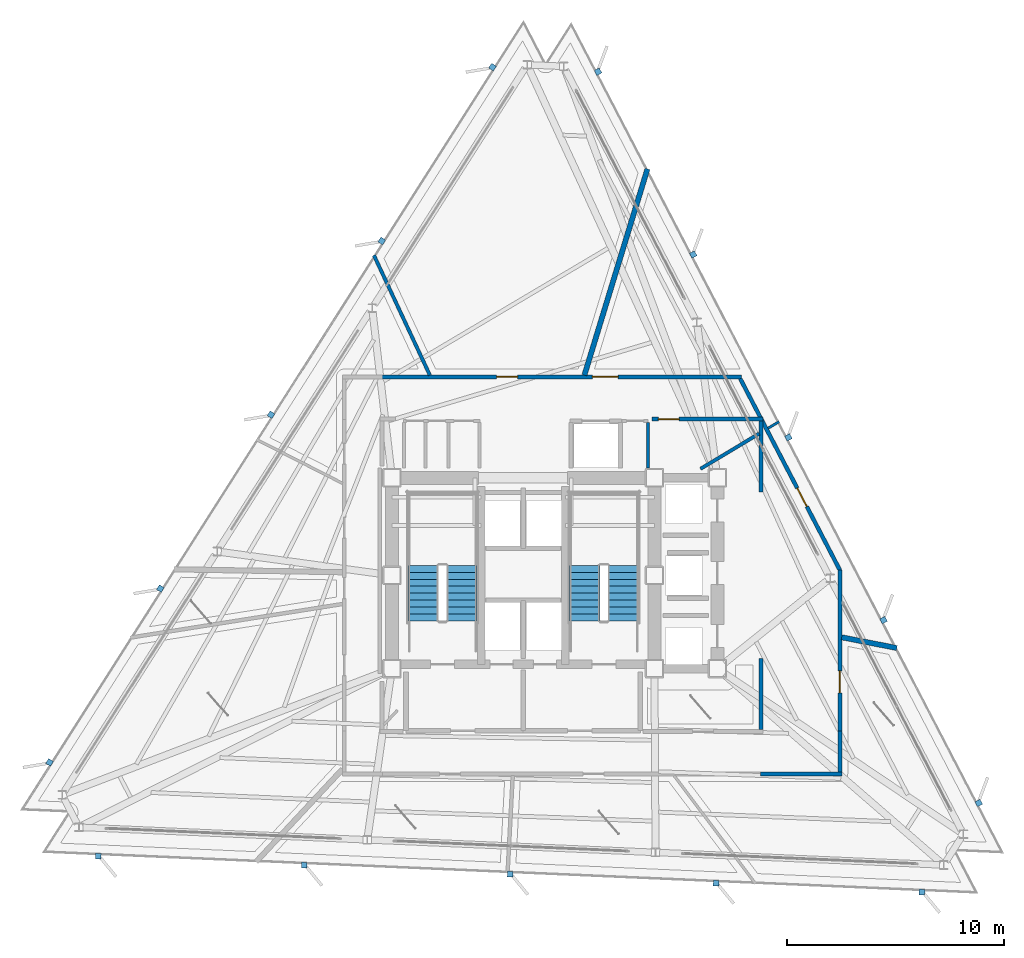
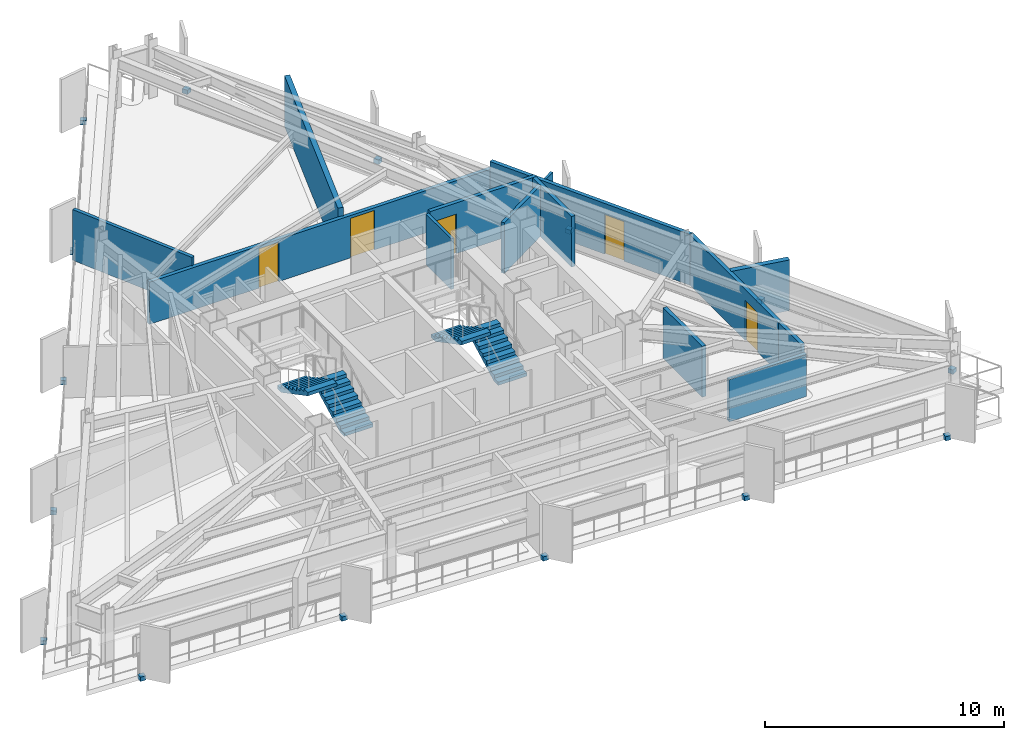
# One storey, part 9 of 12: 15 discrete accessories, 14 walls, 5 doors, 4 stair flights, 5 openings, 2 elements without a shape of their own.
"""IFC4 building model written with IfcOpenShell, lengths in metres."""

import ifcopenshell
import ifcopenshell.guid

model = None  # the IFC model being written
_history = None  # IfcOwnerHistory: only IFC2X3 demands one
_inside = {}  # id of a spatial element -> (the spatial element, [elements in it])
_under = {}  # id of a project, library or spatial element -> (it, [spatial elements below it])
_declared = {}  # id of a project -> (the project, [libraries it declares])
_typed = {}  # id of a type object -> (the type object, [elements of that type])
_made_of = {}  # id of a material, layer set ... -> (it, [elements and type objects made of it])


def new_model(schema):
    """Start an empty IFC model of exactly this schema.

    Asked for "IFC4X3", IfcOpenShell would pick the latest addendum, in which some entities
    have other attributes; the version numbers below select the first issue.
    IFC2X3 requires an IfcOwnerHistory on every rooted entity: one is made here for all.
    """
    global model, _history
    if schema == "IFC4X3":
        model = ifcopenshell.file(schema_version=(4, 3, 0, 0))
    else:
        model = ifcopenshell.file(schema=schema)
    _inside.clear()
    _under.clear()
    _declared.clear()
    _typed.clear()
    _made_of.clear()
    _history = None
    if model.schema == "IFC2X3":
        org = make("IfcOrganization", Name="unknown")
        user = make(
            "IfcPersonAndOrganization",
            ThePerson=make("IfcPerson", FamilyName="unknown"),
            TheOrganization=org,
        )
        app = make(
            "IfcApplication",
            ApplicationDeveloper=org,
            Version="unknown",
            ApplicationFullName="unknown",
            ApplicationIdentifier="unknown",
        )
        _history = make(
            "IfcOwnerHistory",
            OwningUser=user,
            OwningApplication=app,
            ChangeAction="ADDED",
            CreationDate=0,
        )
    return model


def make(cls, **values):
    """One entity of the class cls with the attributes given. An attribute that is None is left unset."""
    return model.create_entity(
        cls, **{name: value for name, value in values.items() if value is not None}
    )


def rooted(cls, **values):
    """An entity with a GlobalId (a new one), such as an element, a storey or a relation."""
    return make(cls, GlobalId=ifcopenshell.guid.new(), OwnerHistory=_history, **values)


def si_unit(unit_type, name, prefix=None):
    """IfcSIUnit, for example si_unit("LENGTHUNIT", "METRE", prefix="MILLI")."""
    return make("IfcSIUnit", UnitType=unit_type, Prefix=prefix, Name=name)


def assignment(units):
    """IfcUnitAssignment: the units of a project."""
    return None if units is None else make("IfcUnitAssignment", Units=units)


def point(xyz):
    """IfcCartesianPoint."""
    return None if xyz is None else make("IfcCartesianPoint", Coordinates=xyz)


def direction(xyz):
    """IfcDirection."""
    return None if xyz is None else make("IfcDirection", DirectionRatios=xyz)


def frame(location, z_axis=None, x_axis=None):
    """IfcAxis2Placement3D, a coordinate frame: its origin and axes. An axis left out is left unset."""
    return make(
        "IfcAxis2Placement3D",
        Location=point(location),
        Axis=direction(z_axis),
        RefDirection=direction(x_axis),
    )


def frame_2d(location, x_axis=None):
    """IfcAxis2Placement2D, a coordinate frame in the plane: its origin and x axis."""
    return make(
        "IfcAxis2Placement2D", Location=point(location), RefDirection=direction(x_axis)
    )


def origin():
    """The frame at (0, 0, 0) with its axes left unset."""
    return frame((0.0, 0.0, 0.0))


def origin_2d():
    """The frame at (0, 0) in the plane with its x axis left unset."""
    return frame_2d((0.0, 0.0))


def place(relative_to, where):
    """IfcLocalPlacement: puts the frame where relative to a parent placement (None: the world)."""
    return make(
        "IfcLocalPlacement", PlacementRelTo=relative_to, RelativePlacement=where
    )


def context(
    kind, dimensions, precision=None, world=None, true_north=None, identifier=None
):
    """IfcGeometricRepresentationContext, for example the 3D "Model" context."""
    return make(
        "IfcGeometricRepresentationContext",
        ContextIdentifier=identifier,
        ContextType=kind,
        CoordinateSpaceDimension=dimensions,
        Precision=precision,
        WorldCoordinateSystem=world,
        TrueNorth=true_north,
    )


def subcontext(parent, identifier, kind, view, scale=None):
    """IfcGeometricRepresentationSubContext, for example "Body" below "Model"."""
    return make(
        "IfcGeometricRepresentationSubContext",
        ContextIdentifier=identifier,
        ContextType=kind,
        ParentContext=parent,
        TargetScale=scale,
        TargetView=view,
    )


def project(units=None, contexts=None):
    """IfcProject with its units and contexts."""
    return rooted(
        "IfcProject",
        Name="project",
        RepresentationContexts=contexts,
        UnitsInContext=assignment(units),
    )


def spatial(cls, under=None, at=None, **own):
    """A site, building, storey or space (cls), placed at a placement, below another one or the project."""
    s = rooted(cls, ObjectPlacement=at, **own)
    if under is not None:
        _under.setdefault(under.id(), (under, []))[1].append(s)
    return s


def polyline(points):
    """IfcPolyline through the points."""
    return make("IfcPolyline", Points=[point(p) for p in points])


def profile(cls, at=None, kind="AREA", **sizes):
    """A parametric profile (cls). Its sizes go by their IFC names, for example OverallWidth=200.0."""
    return make(cls, ProfileType=kind, Position=at, **sizes)


def rectangle(**sizes):
    """IfcRectangleProfileDef."""
    return profile("IfcRectangleProfileDef", **sizes)


def outline(outer, holes=None, kind="AREA"):
    """IfcArbitraryClosedProfileDef: a profile drawn as a closed curve; with holes, ...WithVoids."""
    if holes is None:
        return make("IfcArbitraryClosedProfileDef", ProfileType=kind, OuterCurve=outer)
    return make(
        "IfcArbitraryProfileDefWithVoids",
        ProfileType=kind,
        OuterCurve=outer,
        InnerCurves=holes,
    )


def extrude(swept, where, along, depth):
    """IfcExtrudedAreaSolid: the profile swept, set in the frame where, extruded along a direction by depth."""
    return make(
        "IfcExtrudedAreaSolid",
        SweptArea=swept,
        Position=where,
        ExtrudedDirection=direction(along),
        Depth=depth,
    )


def shape(context_of_items, identifier, shape_type, items):
    """IfcShapeRepresentation: the items that make up one representation, for example the "Body"."""
    return make(
        "IfcShapeRepresentation",
        ContextOfItems=context_of_items,
        RepresentationIdentifier=identifier,
        RepresentationType=shape_type,
        Items=items,
    )


def material(Name=None, Category=None):
    """IfcMaterial."""
    return make("IfcMaterial", Name=Name, Category=Category)


def layer(
    of_material, thickness, ventilated=None, Name=None, Category=None, Priority=None
):
    """IfcMaterialLayer: one layer of a wall or slab, of a material (None: an air gap)."""
    return make(
        "IfcMaterialLayer",
        Material=of_material,
        LayerThickness=thickness,
        IsVentilated=ventilated,
        Name=Name,
        Category=Category,
        Priority=Priority,
    )


def layer_set(layers, Name=None):
    """IfcMaterialLayerSet."""
    return make("IfcMaterialLayerSet", MaterialLayers=layers, LayerSetName=Name)


def made_of(thing, what):
    """Note that an element or type object is made of a material, layer set ...; save() writes the relation."""
    if what is not None:
        _made_of.setdefault(what.id(), (what, []))[1].append(thing)
    return thing


def type_object(cls, material=None, **own):
    """A type object (cls), such as IfcWallType, which elements share."""
    return made_of(rooted(cls, **own), material)


def element(
    cls,
    number,
    at=None,
    inside=None,
    cuts=None,
    type_object=None,
    material=None,
    context=None,
    identifier="Body",
    shape_type=None,
    held_by="IfcProductDefinitionShape",
    body=None,
    shapes=None,
    **own,
):
    """One element of the class cls, such as IfcWall. Its Tag is "e" and its number.

    at: its placement. inside: the storey or other place that contains it. cuts: it is an
    opening in that element (IfcRelVoidsElement). A single representation is given by context,
    identifier, shape_type and body (its items); several are given by shapes. held_by: the class
    of the entity that holds the representations. save() writes the other relations.
    """
    e = rooted(cls, Tag="e%d" % number, ObjectPlacement=at, **own)
    if body is not None:
        shapes = [shape(context, identifier, shape_type, body)]
    if shapes is not None:
        e.Representation = make(held_by, Representations=shapes)
    if inside is not None:
        _inside.setdefault(inside.id(), (inside, []))[1].append(e)
    if cuts is not None:
        rooted(
            "IfcRelVoidsElement", RelatingBuildingElement=cuts, RelatedOpeningElement=e
        )
    if type_object is not None:
        _typed.setdefault(type_object.id(), (type_object, []))[1].append(e)
    return made_of(e, material)


def fill(opening, filler):
    """IfcRelFillsElement: the door or window that sits in an opening."""
    return rooted(
        "IfcRelFillsElement",
        RelatingOpeningElement=opening,
        RelatedBuildingElement=filler,
    )


def aggregate(whole, parts):
    """IfcRelAggregates: a whole, such as a stair, and the parts it consists of."""
    return rooted("IfcRelAggregates", RelatingObject=whole, RelatedObjects=parts)


def save(model, path):
    """Write the relations noted so far, then the file.

    IfcRelAggregates (storeys below a building ...), IfcRelContainedInSpatialStructure (elements
    in a storey), IfcRelDefinesByType, IfcRelAssociatesMaterial and IfcRelDeclares: one each for
    every whole, place, type object, material and project.
    """
    for whole, parts in _under.values():
        aggregate(whole, parts)
    for where, things in _inside.values():
        rooted(
            "IfcRelContainedInSpatialStructure",
            RelatedElements=things,
            RelatingStructure=where,
        )
    for kind, things in _typed.values():
        rooted("IfcRelDefinesByType", RelatedObjects=things, RelatingType=kind)
    for what, things in _made_of.values():
        rooted("IfcRelAssociatesMaterial", RelatedObjects=things, RelatingMaterial=what)
    for by, libraries in _declared.values():
        rooted("IfcRelDeclares", RelatingContext=by, RelatedDefinitions=libraries)
    model.write(path)


model = new_model("IFC4")

# Units and contexts
model_context = context("Model", 3, precision=1e-05, world=origin(), true_north=direction((0.0, 1.0)))
body_context = subcontext(model_context, "Body", "Model", "MODEL_VIEW")
ifc_project = project(units=[si_unit("LENGTHUNIT", "METRE"), si_unit("AREAUNIT", "SQUARE_METRE"), si_unit("VOLUMEUNIT", "CUBIC_METRE"), si_unit("PLANEANGLEUNIT", "RADIAN"), si_unit("MASSUNIT", "GRAM", prefix="KILO")], contexts=[model_context])

# Site, building, storey
site_placement = place(None, origin())
site = spatial("IfcSite", under=ifc_project, at=site_placement, CompositionType="ELEMENT")
building_placement = place(site_placement, origin())
building = spatial("IfcBuilding", under=site, at=building_placement, Name="Rocaltana Carrier Exchange", CompositionType="ELEMENT")
storey_placement = place(building_placement, frame((0.0, 0.0, 144.159912109375)))
storey = spatial("IfcBuildingStorey", under=building, at=storey_placement, Name="L45", CompositionType="ELEMENT", Elevation=144.159912109375)

# Walls
ifc_material_1 = material(Name="Double Acoustic Gypsum Partition", Category="gypsum")
ifc_layer_1 = layer(ifc_material_1, 0.159912109375)
ifc_layer_set_1 = layer_set([ifc_layer_1], Name="Double Acoustic Gypsum Partition")
wall_type_1 = type_object("IfcWallType", Name="Acoustic Studio Partition 160 EI60", PredefinedType="PARTITIONING", material=ifc_layer_set_1)
wall_1_placement = place(storey_placement, frame((8.171630859375, 4.909912109375, 0.0), z_axis=(0.0, 0.0, 1.0), x_axis=(0.857145019385, 0.515075155433, 0.0)))
element("IfcWall", 1, at=wall_1_placement, inside=storey, type_object=wall_type_1, Name="L45 Suite Divider Wall D7", PredefinedType="PARTITIONING", context=body_context, shape_type="SweptSolid", body=[
    extrude(rectangle(XDim=3.15966796875, YDim=0.159912109375, at=frame_2d((1.579833984375, 0.0))), origin(), (0.0, 0.0, 1.0), 2.593017578125),
])
wall_2_placement = place(storey_placement, frame((-4.303955078125, 9.22998046875, 0.0), z_axis=(0.0, 0.0, 1.0), x_axis=(-0.422635533016, 0.906299733108, 0.0)))
element("IfcWall", 2, at=wall_2_placement, inside=storey, type_object=wall_type_1, Name="L45 Suite Divider Wall D10", PredefinedType="PARTITIONING", context=body_context, shape_type="SweptSolid", body=[
    extrude(rectangle(XDim=6.0966796875, YDim=0.159912109375, at=frame_2d((3.04833984375, 0.0))), origin(), (0.0, 0.0, 1.0), 2.593017578125),
])

# Wall, openings, doors
ifc_material_2 = material(Name="Gypsum & Steel Stud Partition", Category="steel")
ifc_layer_2 = layer(ifc_material_2, 0.179931640625)
ifc_layer_set_2 = layer_set([ifc_layer_2], Name="Gypsum & Steel Stud Partition")
wall_type_2 = type_object("IfcWallType", Name="Corridor Fire Partition 180 EI60", PredefinedType="PARTITIONING", material=ifc_layer_set_2)
wall_3_placement = place(storey_placement, frame((-6.52001953125, 9.14990234375, 0.0), z_axis=(0.0, 0.0, 1.0), x_axis=(1.0, 0.0, 0.0)))
wall_3 = element("IfcWall", 3, at=wall_3_placement, inside=storey, type_object=wall_type_2, Name="L45 Corridor Partition 6", PredefinedType="PARTITIONING", context=body_context, shape_type="SweptSolid", body=[
    extrude(rectangle(XDim=16.571533203125, YDim=0.179931640625, at=frame_2d((8.28564453125, 0.0))), origin(), (0.0, 0.0, 1.0), 2.16015625),
])
opening_1_placement = place(wall_3_placement, frame((9.7138671875, 0.0, 0.0)))
opening_1 = element("IfcOpeningElement", 4, at=opening_1_placement, cuts=wall_3, Name="Opening D-SU120", PredefinedType="OPENING", context=body_context, shape_type="SweptSolid", body=[
    extrude(rectangle(XDim=1.179931640625, YDim=2.02001953125, at=frame_2d((0.58984375, 1.010009765625))), frame((0.0, 0.099853515625, 0.0), z_axis=(0.0, -1.0, 0.0), x_axis=(1.0, 0.0, 0.0)), (0.0, 0.0, 1.0), 0.199951171875),
])
opening_2_placement = place(wall_3_placement, frame((5.297607421875, 0.0, 0.0)))
opening_2 = element("IfcOpeningElement", 5, at=opening_2_placement, cuts=wall_3, Name="Opening D-RM098", PredefinedType="OPENING", context=body_context, shape_type="SweptSolid", body=[
    extrude(rectangle(XDim=0.9599609375, YDim=2.02001953125, at=frame_2d((0.47998046875, 1.010009765625))), frame((0.0, 0.099853515625, 0.0), z_axis=(0.0, -1.0, 0.0), x_axis=(1.0, 0.0, 0.0)), (0.0, 0.0, 1.0), 0.199951171875),
])
ifc_material_3 = material(Name="Engineered Hardwood Timber", Category="wood")
door_type_1 = type_object("IfcDoorType", Name="Suite Double Entrance Door 1180x2020", OperationType="NOTDEFINED", PredefinedType="DOOR", material=ifc_material_3)
door_1_placement = place(opening_1_placement, origin())
door_1 = element("IfcDoor", 6, at=door_1_placement, inside=storey, type_object=door_type_1, Name="L45 Carrier Peering Suite Entrance Door", OperationType="SINGLE_SWING_RIGHT", OverallHeight=2.02001953125, OverallWidth=1.179931640625, PredefinedType="DOOR", context=body_context, shape_type="SweptSolid", body=[
    extrude(rectangle(XDim=1.179931640625, YDim=2.02001953125, at=frame_2d((0.58984375, 1.010009765625))), frame((0.0, 0.02490234375, 0.0), z_axis=(0.0, -1.0, 0.0), x_axis=(1.0, 0.0, 0.0)), (0.0, 0.0, 1.0), 0.050048828125),
])
fill(opening_1, door_1)
ifc_material_4 = material(Name="Engineered Hardwood Timber", Category="wood")
door_type_2 = type_object("IfcDoorType", Name="Workspace Single Door 960x2020", OperationType="NOTDEFINED", PredefinedType="DOOR", material=ifc_material_4)
door_2_placement = place(opening_2_placement, origin())
door_2 = element("IfcDoor", 7, at=door_2_placement, inside=storey, type_object=door_type_2, Name="L45 Client Reception Foyer Entrance Door", OperationType="SINGLE_SWING_LEFT", OverallHeight=2.02001953125, OverallWidth=0.9599609375, PredefinedType="DOOR", context=body_context, shape_type="SweptSolid", body=[
    extrude(rectangle(XDim=0.9599609375, YDim=2.02001953125, at=frame_2d((0.47998046875, 1.010009765625))), frame((0.0, 0.02490234375, 0.0), z_axis=(0.0, -1.0, 0.0), x_axis=(1.0, 0.0, 0.0)), (0.0, 0.0, 1.0), 0.050048828125),
])
fill(opening_2, door_2)

# Wall, opening, door
wall_4_placement = place(storey_placement, frame((10.0029296875, 9.0703125, 0.0), z_axis=(0.0, 0.0, 1.0), x_axis=(0.461740291408, -0.887015165198, 0.0)))
wall_4 = element("IfcWall", 8, at=wall_4_placement, inside=storey, type_object=wall_type_2, Name="L45 Corridor Partition 7", PredefinedType="PARTITIONING", context=body_context, shape_type="SweptSolid", body=[
    extrude(rectangle(XDim=9.975830078125, YDim=0.179931640625, at=frame_2d((4.98779296875, 0.0))), origin(), (0.0, 0.0, 1.0), 2.593017578125),
])
opening_3_placement = place(wall_4_placement, frame((5.689208984375, 0.0, 0.0)))
opening_3 = element("IfcOpeningElement", 9, at=opening_3_placement, cuts=wall_4, Name="Opening D-RM098", PredefinedType="OPENING", context=body_context, shape_type="SweptSolid", body=[
    extrude(rectangle(XDim=0.9599609375, YDim=2.02001953125, at=frame_2d((0.47998046875, 1.010009765625))), frame((0.0, 0.099853515625, 0.0), z_axis=(0.0, -1.0, 0.0), x_axis=(1.0, 0.0, 0.0)), (0.0, 0.0, 1.0), 0.199951171875),
])
door_3_placement = place(opening_3_placement, origin())
door_3 = element("IfcDoor", 10, at=door_3_placement, inside=storey, type_object=door_type_2, Name="L45 Client Reception Foyer Entrance Door", OperationType="SINGLE_SWING_RIGHT", OverallHeight=2.02001953125, OverallWidth=0.9599609375, PredefinedType="DOOR", context=body_context, shape_type="SweptSolid", body=[
    extrude(rectangle(XDim=0.9599609375, YDim=2.02001953125, at=frame_2d((0.47998046875, 1.010009765625))), frame((0.0, 0.02490234375, 0.0), z_axis=(0.0, -1.0, 0.0), x_axis=(1.0, 0.0, 0.0)), (0.0, 0.0, 1.0), 0.050048828125),
])
fill(opening_3, door_3)

wall_5_placement = place(storey_placement, frame((14.60009765625, 0.259521484375, 0.0), z_axis=(0.0, 0.0, 1.0), x_axis=(0.0, -1.0, 0.0)))
wall_5 = element("IfcWall", 11, at=wall_5_placement, inside=storey, type_object=wall_type_2, Name="L45 Corridor Partition 8", PredefinedType="PARTITIONING", context=body_context, shape_type="SweptSolid", body=[
    extrude(rectangle(XDim=7.4794921875, YDim=0.179931640625, at=frame_2d((3.73974609375, 0.0))), origin(), (0.0, 0.0, 1.0), 2.593017578125),
])
opening_4_placement = place(wall_5_placement, frame((4.65673828125, 0.0, 0.0)))
opening_4 = element("IfcOpeningElement", 12, at=opening_4_placement, cuts=wall_5, Name="Opening D-LB104", PredefinedType="OPENING", context=body_context, shape_type="SweptSolid", body=[
    extrude(rectangle(XDim=1.02001953125, YDim=2.02001953125, at=frame_2d((0.510009765625, 1.010009765625))), frame((0.0, 0.099853515625, 0.0), z_axis=(0.0, -1.0, 0.0), x_axis=(1.0, 0.0, 0.0)), (0.0, 0.0, 1.0), 0.199951171875),
])
ifc_material_5 = material(Name="Powder-Coated Aluminium 6063-T6", Category="aluminium")
door_type_3 = type_object("IfcDoorType", Name="Laboratory Acoustic Door 1020x2020", OperationType="NOTDEFINED", PredefinedType="DOOR", material=ifc_material_5)
door_4_placement = place(opening_4_placement, origin())
door_4 = element("IfcDoor", 13, at=door_4_placement, inside=storey, type_object=door_type_3, Name="L45 Optical Switching Laboratory Entrance Door", OperationType="SINGLE_SWING_LEFT", OverallHeight=2.02001953125, OverallWidth=1.02001953125, PredefinedType="DOOR", context=body_context, shape_type="SweptSolid", body=[
    extrude(rectangle(XDim=1.02001953125, YDim=2.02001953125, at=frame_2d((0.510009765625, 1.010009765625))), frame((0.0, 0.02490234375, 0.0), z_axis=(0.0, -1.0, 0.0), x_axis=(1.0, 0.0, 0.0)), (0.0, 0.0, 1.0), 0.050048828125),
])
fill(opening_4, door_4)

# Walls
wall_6_placement = place(storey_placement, frame((14.60009765625, -7.179931640625, 0.0), z_axis=(0.0, 0.0, 1.0), x_axis=(0.0, -1.0, 0.0)))
element("IfcWall", 14, at=wall_6_placement, inside=storey, type_object=wall_type_2, Name="L45 Corridor Partition 9", PredefinedType="PARTITIONING", context=body_context, shape_type="SweptSolid", body=[
    extrude(rectangle(XDim=1.880126953125, YDim=0.179931640625, at=frame_2d((0.93994140625, 0.0))), origin(), (0.0, 0.0, 1.0), 2.593017578125),
])
wall_7_placement = place(storey_placement, frame((14.68994140625, -9.14990234375, 0.0), z_axis=(0.0, 0.0, 1.0), x_axis=(-1.0, 0.0, 0.0)))
element("IfcWall", 15, at=wall_7_placement, inside=storey, type_object=wall_type_2, Name="L45 Corridor Partition 10", PredefinedType="PARTITIONING", context=body_context, shape_type="SweptSolid", body=[
    extrude(rectangle(XDim=3.75, YDim=0.179931640625, at=frame_2d((1.875, 0.0))), origin(), (0.0, 0.0, 1.0), 2.16015625),
])
for number, where, z_axis, x_axis, name in (
    (16, (10.9599609375, -7.110107421875, 0.0), (0.0, 0.0, 1.0), (0.0, 1.0, 0.0), "L45 Corridor Partition 13"),
    (17, (10.9599609375, 3.839599609375, 0.0), (0.0, 0.0, 1.0), (0.0, 1.0, 0.0), "L45 Corridor Partition 14"),
):
    element("IfcWall", number, at=place(storey_placement, frame(where, z_axis=z_axis, x_axis=x_axis)), inside=storey, type_object=wall_type_2, Name=name, PredefinedType="PARTITIONING", context=body_context, shape_type="SweptSolid", body=[
        extrude(rectangle(XDim=3.2705078125, YDim=0.179931640625, at=frame_2d((1.63525390625, 0.0))), origin(), (0.0, 0.0, 1.0), 2.593017578125),
    ])

# Wall, opening, door
wall_8_placement = place(storey_placement, frame((11.050048828125, 7.199951171875, 0.0), z_axis=(0.0, 0.0, 1.0), x_axis=(-1.0, 0.0, 0.0)))
wall_8 = element("IfcWall", 18, at=wall_8_placement, inside=storey, type_object=wall_type_2, Name="L45 Corridor Partition 15", PredefinedType="PARTITIONING", context=body_context, shape_type="SweptSolid", body=[
    extrude(rectangle(XDim=5.1201171875, YDim=0.179931640625, at=frame_2d((2.56005859375, 0.0))), origin(), (0.0, 0.0, 1.0), 2.593017578125),
])
opening_5_placement = place(wall_8_placement, frame((3.8583984375, 0.0, 0.0)))
opening_5 = element("IfcOpeningElement", 19, at=opening_5_placement, cuts=wall_8, Name="Opening D-RM098", PredefinedType="OPENING", context=body_context, shape_type="SweptSolid", body=[
    extrude(rectangle(XDim=0.9599609375, YDim=2.02001953125, at=frame_2d((0.47998046875, 1.010009765625))), frame((0.0, 0.099853515625, 0.0), z_axis=(0.0, -1.0, 0.0), x_axis=(1.0, 0.0, 0.0)), (0.0, 0.0, 1.0), 0.199951171875),
])
door_5_placement = place(opening_5_placement, origin())
door_5 = element("IfcDoor", 20, at=door_5_placement, inside=storey, type_object=door_type_2, Name="L45 Quiet Focus Lounge Entrance Door", OperationType="SINGLE_SWING_LEFT", OverallHeight=2.02001953125, OverallWidth=0.9599609375, PredefinedType="DOOR", context=body_context, shape_type="SweptSolid", body=[
    extrude(rectangle(XDim=0.9599609375, YDim=2.02001953125, at=frame_2d((0.47998046875, 1.010009765625))), frame((0.0, 0.02490234375, 0.0), z_axis=(0.0, -1.0, 0.0), x_axis=(1.0, 0.0, 0.0)), (0.0, 0.0, 1.0), 0.050048828125),
])
fill(opening_5, door_5)

# Walls
ifc_material_6 = material(Name="Aluminium 6063-T6 & Acoustic Glass", Category="aluminium")
ifc_layer_3 = layer(ifc_material_6, 0.114990234375)
ifc_layer_set_3 = layer_set([ifc_layer_3], Name="Aluminium 6063-T6 & Acoustic Glass")
wall_type_3 = type_object("IfcWallType", Name="Demountable Glazed Lab Partition 115", PredefinedType="MOVABLE", material=ifc_layer_set_3)
wall_9_placement = place(storey_placement, frame((11.284912109375, 6.78076171875, 0.0), z_axis=(0.0, 0.0, 1.0), x_axis=(0.857237776814, 0.514920764782, 0.0)))
element("IfcWall", 21, at=wall_9_placement, inside=storey, type_object=wall_type_3, Name="L45 Suite Divider Wall D8", PredefinedType="MOVABLE", context=body_context, shape_type="SweptSolid", body=[
    extrude(rectangle(XDim=0.59130859375, YDim=0.114990234375, at=frame_2d((0.295654296875, 0.0))), origin(), (0.0, 0.0, 1.0), 2.593017578125),
])
ifc_material_7 = material(Name="Acoustic Calcium Silicate Partition", Category="gypsum")
ifc_layer_4 = layer(ifc_material_7, 0.239990234375)
ifc_layer_set_4 = layer_set([ifc_layer_4], Name="Acoustic Calcium Silicate Partition")
wall_type_4 = type_object("IfcWallType", Name="Heavy Lab Partition 240 EI90", PredefinedType="PARTITIONING", material=ifc_layer_set_4)
wall_10_placement = place(storey_placement, frame((14.679931640625, -2.853515625, 0.0), z_axis=(0.0, 0.0, 1.0), x_axis=(0.9816178422, -0.190857045651, 0.0)))
element("IfcWall", 22, at=wall_10_placement, inside=storey, type_object=wall_type_4, Name="L45 Suite Divider Wall D6", PredefinedType="PARTITIONING", context=body_context, shape_type="SweptSolid", body=[
    extrude(rectangle(XDim=2.59033203125, YDim=0.239990234375, at=frame_2d((1.295166015625, 0.0))), origin(), (0.0, 0.0, 1.0), 2.593017578125),
])
wall_11_placement = place(storey_placement, frame((2.822021484375, 9.22998046875, 0.0), z_axis=(0.0, 0.0, 1.0), x_axis=(0.292353963616, 0.956310179784, 0.0)))
element("IfcWall", 23, at=wall_11_placement, inside=storey, type_object=wall_type_4, Name="L45 Suite Divider Wall D9", PredefinedType="PARTITIONING", context=body_context, shape_type="SweptSolid", body=[
    extrude(rectangle(XDim=9.9384765625, YDim=0.239990234375, at=frame_2d((4.96923828125, 0.0))), origin(), (0.0, 0.0, 1.0), 2.593017578125),
])
ifc_material_8 = material(Name="Moisture-Resistant Masonry C30/37", Category="masonry")
ifc_layer_5 = layer(ifc_material_8, 0.139892578125)
ifc_layer_set_5 = layer_set([ifc_layer_5], Name="Moisture-Resistant Masonry C30/37")
wall_type_5 = type_object("IfcWallType", Name="Wet-Area Sanitary Partition 140", PredefinedType="PARTITIONING", material=ifc_layer_set_5)
wall_12_placement = place(storey_placement, frame((5.760009765625, 4.949951171875, 0.0), z_axis=(0.0, 0.0, 1.0), x_axis=(0.0, 1.0, 0.0)))
element("IfcWall", 24, at=wall_12_placement, inside=storey, type_object=wall_type_5, Name="L45 Riser East Wall", PredefinedType="PARTITIONING", context=body_context, shape_type="SweptSolid", body=[
    extrude(rectangle(XDim=2.10009765625, YDim=0.139892578125, at=frame_2d((1.050048828125, 0.0))), origin(), (0.0, 0.0, 1.0), 2.593017578125),
])

# Stair, stair flights
ifc_material_9 = material(Name="Precast concrete C45/55", Category="concrete")
stair_type = type_object("IfcStairType", Name="Standard Dog-Leg Stair 160", PredefinedType="HALF_TURN_STAIR", material=ifc_material_9)
stair_1_placement = place(storey_placement, origin())
stair_1 = element("IfcStair", 25, at=stair_1_placement, inside=storey, type_object=stair_type, Name="L45 Core West Exit Stair ST-1", PredefinedType="HALF_TURN_STAIR")
ifc_material_10 = material(Name="Precast concrete C45/55", Category="concrete")
stair_flight_type = type_object("IfcStairFlightType", Name="Precast Stair Flight 160", PredefinedType="STRAIGHT", material=ifc_material_10)
stair_flight_1_placement = place(storey_placement, frame((-2.840087890625, -2.10009765625, 0.0), z_axis=(0.0, 0.0, 1.0), x_axis=(0.0, 1.0, 0.0)))
stair_flight_1 = element("IfcStairFlight", 26, at=stair_flight_1_placement, type_object=stair_flight_type, Name="ST-1 flight 1", NumberOfRisers=9, NumberOfTreads=8, PredefinedType="STRAIGHT", RiserHeight=0.168888889, TreadLength=0.32, context=body_context, shape_type="SweptSolid", body=[
    extrude(outline(polyline([(0.0, 0.0), (0.0, 0.1689453125), (0.320068359375, 0.1689453125), (0.320068359375, 0.337890625), (0.639892578125, 0.337890625), (0.639892578125, 0.506591796875), (0.9599609375, 0.506591796875), (0.9599609375, 0.675537109375), (1.280029296875, 0.675537109375), (1.280029296875, 0.844482421875), (1.60009765625, 0.844482421875), (1.60009765625, 1.013427734375), (1.919921875, 1.013427734375), (1.919921875, 1.18212890625), (2.239990234375, 1.18212890625), (2.239990234375, 1.35107421875), (2.56005859375, 1.35107421875), (2.56005859375, 1.52001953125), (2.56005859375, 1.17041015625), (0.342529296875, 0.0), (0.0, 0.0)])), frame((0.0, 0.699951171875, 0.0), z_axis=(0.0, -1.0, 0.0), x_axis=(1.0, 0.0, 0.0)), (0.0, 0.0, 1.0), 1.39990234375),
])
stair_flight_2_placement = place(storey_placement, frame((-4.60009765625, 0.4599609375, 1.52001953125), z_axis=(0.0, 0.0, 1.0), x_axis=(0.0, -1.0, 0.0)))
stair_flight_2 = element("IfcStairFlight", 27, at=stair_flight_2_placement, type_object=stair_flight_type, Name="ST-1 flight 2", NumberOfRisers=9, NumberOfTreads=8, PredefinedType="STRAIGHT", RiserHeight=0.168888889, TreadLength=0.32, context=body_context, shape_type="SweptSolid", body=[
    extrude(outline(polyline([(0.0, 0.0), (0.0, 0.1689453125), (0.320068359375, 0.1689453125), (0.320068359375, 0.337890625), (0.639892578125, 0.337890625), (0.639892578125, 0.506591796875), (0.9599609375, 0.506591796875), (0.9599609375, 0.675537109375), (1.280029296875, 0.675537109375), (1.280029296875, 0.844482421875), (1.60009765625, 0.844482421875), (1.60009765625, 1.013427734375), (1.919921875, 1.013427734375), (1.919921875, 1.18212890625), (2.239990234375, 1.18212890625), (2.239990234375, 1.35107421875), (2.56005859375, 1.35107421875), (2.56005859375, 1.52001953125), (2.56005859375, 1.17041015625), (0.342529296875, 0.0), (0.0, 0.0)])), frame((0.0, 0.699951171875, 0.0), z_axis=(0.0, -1.0, 0.0), x_axis=(1.0, 0.0, 0.0)), (0.0, 0.0, 1.0), 1.39990234375),
])
aggregate(stair_1, [stair_flight_1, stair_flight_2])

stair_2_placement = place(storey_placement, origin())
stair_2 = element("IfcStair", 28, at=stair_2_placement, inside=storey, type_object=stair_type, Name="L45 Core East Exit Stair ST-2", PredefinedType="HALF_TURN_STAIR")
stair_flight_3_placement = place(storey_placement, frame((4.60009765625, -2.10009765625, 0.0), z_axis=(0.0, 0.0, 1.0), x_axis=(0.0, 1.0, 0.0)))
stair_flight_3 = element("IfcStairFlight", 29, at=stair_flight_3_placement, type_object=stair_flight_type, Name="ST-2 flight 1", NumberOfRisers=9, NumberOfTreads=8, PredefinedType="STRAIGHT", RiserHeight=0.168888889, TreadLength=0.32, context=body_context, shape_type="SweptSolid", body=[
    extrude(outline(polyline([(0.0, 0.0), (0.0, 0.1689453125), (0.320068359375, 0.1689453125), (0.320068359375, 0.337890625), (0.639892578125, 0.337890625), (0.639892578125, 0.506591796875), (0.9599609375, 0.506591796875), (0.9599609375, 0.675537109375), (1.280029296875, 0.675537109375), (1.280029296875, 0.844482421875), (1.60009765625, 0.844482421875), (1.60009765625, 1.013427734375), (1.919921875, 1.013427734375), (1.919921875, 1.18212890625), (2.239990234375, 1.18212890625), (2.239990234375, 1.35107421875), (2.56005859375, 1.35107421875), (2.56005859375, 1.52001953125), (2.56005859375, 1.17041015625), (0.342529296875, 0.0), (0.0, 0.0)])), frame((0.0, 0.699951171875, 0.0), z_axis=(0.0, -1.0, 0.0), x_axis=(1.0, 0.0, 0.0)), (0.0, 0.0, 1.0), 1.39990234375),
])
stair_flight_4_placement = place(storey_placement, frame((2.840087890625, 0.4599609375, 1.52001953125), z_axis=(0.0, 0.0, 1.0), x_axis=(0.0, -1.0, 0.0)))
stair_flight_4 = element("IfcStairFlight", 30, at=stair_flight_4_placement, type_object=stair_flight_type, Name="ST-2 flight 2", NumberOfRisers=9, NumberOfTreads=8, PredefinedType="STRAIGHT", RiserHeight=0.168888889, TreadLength=0.32, context=body_context, shape_type="SweptSolid", body=[
    extrude(outline(polyline([(0.0, 0.0), (0.0, 0.1689453125), (0.320068359375, 0.1689453125), (0.320068359375, 0.337890625), (0.639892578125, 0.337890625), (0.639892578125, 0.506591796875), (0.9599609375, 0.506591796875), (0.9599609375, 0.675537109375), (1.280029296875, 0.675537109375), (1.280029296875, 0.844482421875), (1.60009765625, 0.844482421875), (1.60009765625, 1.013427734375), (1.919921875, 1.013427734375), (1.919921875, 1.18212890625), (2.239990234375, 1.18212890625), (2.239990234375, 1.35107421875), (2.56005859375, 1.35107421875), (2.56005859375, 1.52001953125), (2.56005859375, 1.17041015625), (0.342529296875, 0.0), (0.0, 0.0)])), frame((0.0, 0.699951171875, 0.0), z_axis=(0.0, -1.0, 0.0), x_axis=(1.0, 0.0, 0.0)), (0.0, 0.0, 1.0), 1.39990234375),
])
aggregate(stair_2, [stair_flight_3, stair_flight_4])

# Discrete accessories
ifc_material_11 = material(Name="Brushed Architectural Stainless Metal", Category="steel")
ifc_layer_6 = layer(ifc_material_11, 0.219970703125)
ifc_layer_set_6 = layer_set([ifc_layer_6], Name="Brushed Architectural Stainless Metal")
discrete_accessory_type = type_object("IfcDiscreteAccessoryType", Name="Stainless Fin Slab-Edge Bracket 260x260x220", PredefinedType="BRACKET", material=ifc_layer_set_6)
for number, where, z_axis, x_axis, name in (
    (31, (20.9970703125, -10.489990234375, -0.2099609375), (0.0, 0.0, 1.0), (-0.461748613235, 0.887010833178, 0.0), "L45 Sandstone Fin Edge Bracket F1-01"),
    (32, (16.610595703125, -2.063232421875, -0.2099609375), (0.0, 0.0, 1.0), (-0.461748613235, 0.887010833178, 0.0), "L45 Sandstone Fin Edge Bracket F1-02"),
    (33, (12.223876953125, 6.36328125, -0.2099609375), (0.0, 0.0, 1.0), (-0.461748613235, 0.887010833178, 0.0), "L45 Sandstone Fin Edge Bracket F1-03"),
    (34, (7.837158203125, 14.789794921875, -0.2099609375), (0.0, 0.0, 1.0), (-0.461748613235, 0.887010833178, 0.0), "L45 Sandstone Fin Edge Bracket F1-04"),
    (35, (3.45068359375, 23.216552734375, -0.2099609375), (0.0, 0.0, 1.0), (-0.461748613235, 0.887010833178, 0.0), "L45 Sandstone Fin Edge Bracket F1-05"),
    (36, (-1.4140625, 23.428955078125, -0.2099609375), (0.0, 0.0, 1.0), (-0.537299608347, -0.843391445813, 0.0), "L45 Sandstone Fin Edge Bracket F2-01"),
    (37, (-6.518310546875, 15.416748046875, -0.2099609375), (0.0, 0.0, 1.0), (-0.537299608347, -0.843391445813, 0.0), "L45 Sandstone Fin Edge Bracket F2-02"),
    (38, (-11.622802734375, 7.404541015625, -0.2099609375), (0.0, 0.0, 1.0), (-0.537299608347, -0.843391445813, 0.0), "L45 Sandstone Fin Edge Bracket F2-03"),
    (39, (-16.72705078125, -0.607666015625, -0.2099609375), (0.0, 0.0, 1.0), (-0.537299608347, -0.843391445813, 0.0), "L45 Sandstone Fin Edge Bracket F2-04"),
    (40, (-21.831298828125, -8.619873046875, -0.2099609375), (0.0, 0.0, 1.0), (-0.537299608347, -0.843391445813, 0.0), "L45 Sandstone Fin Edge Bracket F2-05"),
    (41, (-19.5830078125, -12.939208984375, -0.2099609375), (0.0, 0.0, 1.0), (0.999048221582, -0.043619387365, 0.0), "L45 Sandstone Fin Edge Bracket F3-01"),
    (42, (-10.092041015625, -13.353515625, -0.2099609375), (0.0, 0.0, 1.0), (0.999048221582, -0.043619387365, 0.0), "L45 Sandstone Fin Edge Bracket F3-02"),
    (43, (-0.60107421875, -13.767822265625, -0.2099609375), (0.0, 0.0, 1.0), (0.999048221582, -0.043619387365, 0.0), "L45 Sandstone Fin Edge Bracket F3-03"),
    (44, (8.889892578125, -14.18212890625, -0.2099609375), (0.0, 0.0, 1.0), (0.999048221582, -0.043619387365, 0.0), "L45 Sandstone Fin Edge Bracket F3-04"),
    (45, (18.380859375, -14.5966796875, -0.2099609375), (0.0, 0.0, 1.0), (0.999048221582, -0.043619387365, 0.0), "L45 Sandstone Fin Edge Bracket F3-05"),
):
    element("IfcDiscreteAccessory", number, at=place(storey_placement, frame(where, z_axis=z_axis, x_axis=x_axis)), inside=storey, type_object=discrete_accessory_type, Name=name, PredefinedType="BRACKET", context=body_context, shape_type="SweptSolid", body=[
        extrude(rectangle(XDim=0.260009765625, YDim=0.260009765625, at=origin_2d()), origin(), (0.0, 0.0, 1.0), 0.219970703125),
    ])

save(model, "model.ifc")
